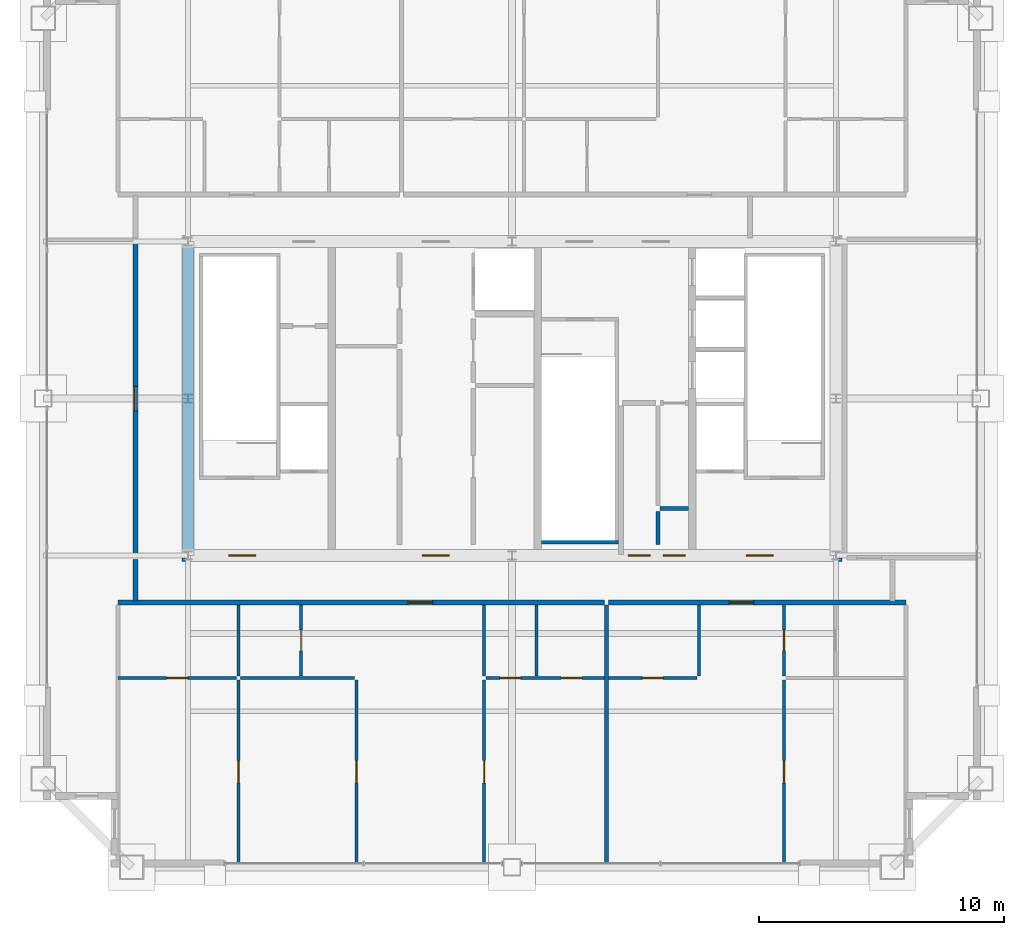
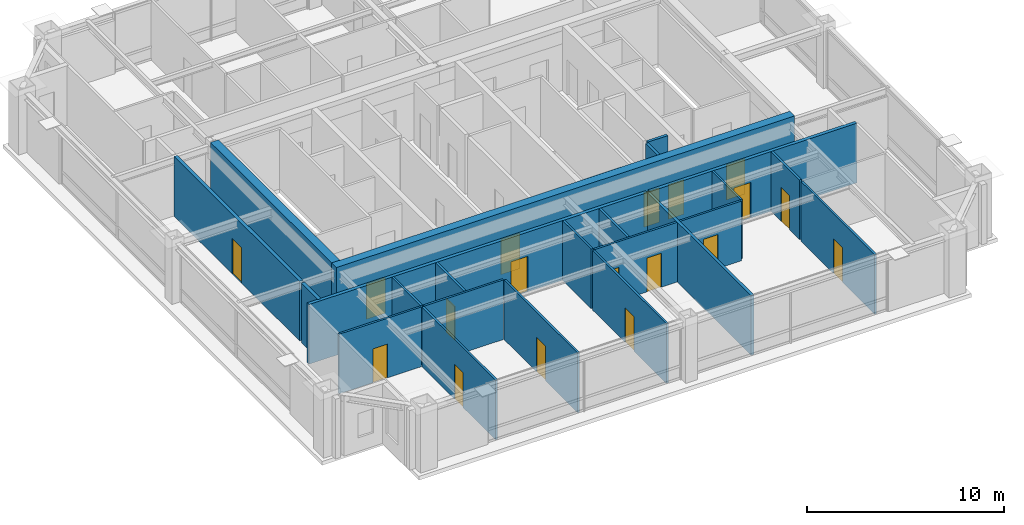
# One storey, part 30 of 34: 24 walls, 18 doors, 18 openings.
"""IFC4 building model written with IfcOpenShell, lengths in metres."""

from ifc_helpers import new_model, si_unit, direction, frame, frame_2d, origin, place, context, subcontext, project, spatial, rectangle, extrude, source, transform, mapped, material, layer, layer_set, type_object, element, fill, save


model = new_model("IFC4")

# Units and contexts
model_context = context("Model", 3, precision=1e-05, world=origin(), true_north=direction((0.0, 1.0)))
body_context = subcontext(model_context, "Body", "Model", "MODEL_VIEW")
ifc_project = project(units=[si_unit("LENGTHUNIT", "METRE"), si_unit("AREAUNIT", "SQUARE_METRE"), si_unit("VOLUMEUNIT", "CUBIC_METRE"), si_unit("PLANEANGLEUNIT", "RADIAN"), si_unit("MASSUNIT", "GRAM", prefix="KILO"), si_unit("THERMODYNAMICTEMPERATUREUNIT", "KELVIN"), si_unit("POWERUNIT", "WATT")], contexts=[model_context])

# Site, building, storey
site_placement = place(None, origin())
site = spatial("IfcSite", under=ifc_project, at=site_placement, CompositionType="ELEMENT")
building_placement = place(site_placement, origin())
building = spatial("IfcBuilding", under=site, at=building_placement, Name="Yuzanri Waterfront Tower", CompositionType="ELEMENT")
storey_placement = place(building_placement, frame((0.0, 0.0, 347.199951171875)))
storey = spatial("IfcBuildingStorey", under=building, at=storey_placement, Name="L93", CompositionType="ELEMENT", Elevation=347.199951171875)

# Wall, opening, door
ifc_material_1 = material(Name="Moisture-Resistant Gypsum Stud Wall", Category="gypsum")
ifc_layer_1 = layer(ifc_material_1, 0.1201171875)
ifc_layer_set_1 = layer_set([ifc_layer_1], Name="Moisture-Resistant Gypsum Stud Wall")
wall_type_1 = type_object("IfcWallType", Name="Bathroom and Kitchen Wet Partition 120", PredefinedType="PARTITIONING", material=ifc_layer_set_1)
wall_1_placement = place(storey_placement, frame((20.93994140625, 14.409912109375, 0.0), z_axis=(0.0, 0.0, 1.0), x_axis=(1.0, 0.0, 0.0)))
wall_1 = element("IfcWall", 1, at=wall_1_placement, inside=storey, type_object=wall_type_1, Name="L93 Partition UW-L93-HS1-SUB-1-S", PredefinedType="PARTITIONING", context=body_context, shape_type="SweptSolid", body=[
    extrude(rectangle(XDim=4.830078125, YDim=0.1201171875, at=frame_2d((2.4150390625, 0.0))), origin(), (0.0, 0.0, 1.0), 3.699951171875),
])
opening_1_placement = place(wall_1_placement, frame((1.989990234375, 0.0, 0.0)))
opening_1 = element("IfcOpeningElement", 2, at=opening_1_placement, cuts=wall_1, Name="Opening ID-0850", PredefinedType="OPENING", context=body_context, shape_type="SweptSolid", body=[
    extrude(rectangle(XDim=0.85009765625, YDim=2.10009765625, at=frame_2d((0.425048828125, 1.050048828125))), frame((0.0, 0.074951171875, 0.0), z_axis=(0.0, -1.0, 0.0), x_axis=(1.0, 0.0, 0.0)), (0.0, 0.0, 1.0), 0.14990234375),
])
ifc_material_2 = material(Name="Moisture-Resistant Lacquered Timber", Category="wood")
door_type_1 = type_object("IfcDoorType", Name="En-Suite Bathroom and Kitchen Swing Door 850x2100", OperationType="NOTDEFINED", PredefinedType="DOOR", material=ifc_material_2)
shared_shape_1 = source(origin(), body_context, "Body", "SweptSolid", [
    extrude(rectangle(XDim=0.85009765625, YDim=2.10009765625, at=frame_2d((0.425048828125, 1.050048828125))), frame((0.0, 0.02490234375, 0.0), z_axis=(0.0, -1.0, 0.0), x_axis=(1.0, 0.0, 0.0)), (0.0, 0.0, 1.0), 0.050048828125),
])
door_1_placement = place(opening_1_placement, origin())
door_1 = element("IfcDoor", 3, at=door_1_placement, inside=storey, type_object=door_type_1, Name="L93 Suite Interior Room Door", OperationType="SINGLE_SWING_LEFT", OverallHeight=2.10009765625, OverallWidth=0.85009765625, PredefinedType="DOOR", context=body_context, shape_type="MappedRepresentation", body=[
    mapped(shared_shape_1, transform((0.0, 0.0, 0.0), scale=1.0)),
])
fill(opening_1, door_1)

wall_2_placement = place(storey_placement, frame((28.409912109375, 14.489990234375, 0.0), z_axis=(0.0, 0.0, 1.0), x_axis=(0.0, 1.0, 0.0)))
wall_2 = element("IfcWall", 4, at=wall_2_placement, inside=storey, type_object=wall_type_1, Name="L93 Partition UW-L93-HS1-SUB-2-E", PredefinedType="PARTITIONING", context=body_context, shape_type="SweptSolid", body=[
    extrude(rectangle(XDim=2.89990234375, YDim=0.1201171875, at=frame_2d((1.449951171875, 0.0))), origin(), (0.0, 0.0, 1.0), 3.699951171875),
])
opening_2_placement = place(wall_2_placement, frame((1.02490234375, 0.0, 0.0)))
opening_2 = element("IfcOpeningElement", 5, at=opening_2_placement, cuts=wall_2, Name="Opening ID-0850", PredefinedType="OPENING", context=body_context, shape_type="SweptSolid", body=[
    extrude(rectangle(XDim=0.85009765625, YDim=2.10009765625, at=frame_2d((0.425048828125, 1.050048828125))), frame((0.0, 0.074951171875, 0.0), z_axis=(0.0, -1.0, 0.0), x_axis=(1.0, 0.0, 0.0)), (0.0, 0.0, 1.0), 0.14990234375),
])
door_2_placement = place(opening_2_placement, origin())
door_2 = element("IfcDoor", 6, at=door_2_placement, inside=storey, type_object=door_type_1, Name="L93 Suite Interior Room Door", OperationType="SINGLE_SWING_RIGHT", OverallHeight=2.10009765625, OverallWidth=0.85009765625, PredefinedType="DOOR", context=body_context, shape_type="MappedRepresentation", body=[
    mapped(shared_shape_1, transform((0.0, 0.0, 0.0), scale=1.0)),
])
fill(opening_2, door_2)

wall_3_placement = place(storey_placement, frame((25.85009765625, 6.85009765625, 0.0), z_axis=(0.0, 0.0, 1.0), x_axis=(0.0, 1.0, 0.0)))
wall_3 = element("IfcWall", 7, at=wall_3_placement, inside=storey, type_object=wall_type_1, Name="L93 Partition UW-L93-HS1-SUB-5-E", PredefinedType="PARTITIONING", context=body_context, shape_type="SweptSolid", body=[
    extrude(rectangle(XDim=7.47998046875, YDim=0.1201171875, at=frame_2d((3.739990234375, 0.0))), origin(), (0.0, 0.0, 1.0), 3.699951171875),
])
opening_3_placement = place(wall_3_placement, frame((3.2900390625, 0.0, 0.0)))
opening_3 = element("IfcOpeningElement", 8, at=opening_3_placement, cuts=wall_3, Name="Opening ID-0900", PredefinedType="OPENING", context=body_context, shape_type="SweptSolid", body=[
    extrude(rectangle(XDim=0.89990234375, YDim=2.14990234375, at=frame_2d((0.449951171875, 1.074951171875))), frame((0.0, 0.074951171875, 0.0), z_axis=(0.0, -1.0, 0.0), x_axis=(1.0, 0.0, 0.0)), (0.0, 0.0, 1.0), 0.14990234375),
])
ifc_material_3 = material(Name="Stained Walnut Veneer Timber", Category="wood")
door_type_2 = type_object("IfcDoorType", Name="Bedroom and Study Interior Swing Door 900x2150", OperationType="NOTDEFINED", PredefinedType="DOOR", material=ifc_material_3)
shared_shape_2 = source(origin(), body_context, "Body", "SweptSolid", [
    extrude(rectangle(XDim=0.89990234375, YDim=2.14990234375, at=frame_2d((0.449951171875, 1.074951171875))), frame((0.0, 0.02490234375, 0.0), z_axis=(0.0, -1.0, 0.0), x_axis=(1.0, 0.0, 0.0)), (0.0, 0.0, 1.0), 0.050048828125),
])
door_3_placement = place(opening_3_placement, origin())
door_3 = element("IfcDoor", 9, at=door_3_placement, inside=storey, type_object=door_type_2, Name="L93 Suite Interior Room Door", OperationType="SINGLE_SWING_LEFT", OverallHeight=2.14990234375, OverallWidth=0.89990234375, PredefinedType="DOOR", context=body_context, shape_type="MappedRepresentation", body=[
    mapped(shared_shape_2, transform((0.0, 0.0, 0.0), scale=1.0)),
])
fill(opening_3, door_3)

# Wall, openings, doors
wall_4_placement = place(storey_placement, frame((35.944091796875, 14.409912109375, 0.0), z_axis=(0.0, 0.0, 1.0), x_axis=(1.0, 0.0, 0.0)))
wall_4 = element("IfcWall", 10, at=wall_4_placement, inside=storey, type_object=wall_type_1, Name="L93 Partition UW-L93-HS1-SUB-6-N", PredefinedType="PARTITIONING", context=body_context, shape_type="SweptSolid", body=[
    extrude(rectangle(XDim=4.829833984375, YDim=0.1201171875, at=frame_2d((2.4150390625, 0.0))), origin(), (0.0, 0.0, 1.0), 3.699951171875),
])
opening_4_placement = place(wall_4_placement, frame((3.054931640625, 0.0, 0.0)))
opening_4 = element("IfcOpeningElement", 11, at=opening_4_placement, cuts=wall_4, Name="Opening ID-0850", PredefinedType="OPENING", context=body_context, shape_type="SweptSolid", body=[
    extrude(rectangle(XDim=0.85009765625, YDim=2.10009765625, at=frame_2d((0.425048828125, 1.050048828125))), frame((0.0, 0.074951171875, 0.0), z_axis=(0.0, -1.0, 0.0), x_axis=(1.0, 0.0, 0.0)), (0.0, 0.0, 1.0), 0.14990234375),
])
opening_5_placement = place(wall_4_placement, frame((0.56005859375, 0.0, 0.0)))
opening_5 = element("IfcOpeningElement", 12, at=opening_5_placement, cuts=wall_4, Name="Opening ID-0850", PredefinedType="OPENING", context=body_context, shape_type="SweptSolid", body=[
    extrude(rectangle(XDim=0.85009765625, YDim=2.10009765625, at=frame_2d((0.425048828125, 1.050048828125))), frame((0.0, 0.074951171875, 0.0), z_axis=(0.0, -1.0, 0.0), x_axis=(1.0, 0.0, 0.0)), (0.0, 0.0, 1.0), 0.14990234375),
])
door_4_placement = place(opening_4_placement, origin())
door_4 = element("IfcDoor", 13, at=door_4_placement, inside=storey, type_object=door_type_1, Name="L93 Suite Interior Room Door", OperationType="SINGLE_SWING_LEFT", OverallHeight=2.10009765625, OverallWidth=0.85009765625, PredefinedType="DOOR", context=body_context, shape_type="MappedRepresentation", body=[
    mapped(shared_shape_1, transform((0.0, 0.0, 0.0), scale=1.0)),
])
fill(opening_4, door_4)
door_5_placement = place(opening_5_placement, origin())
door_5 = element("IfcDoor", 14, at=door_5_placement, inside=storey, type_object=door_type_1, Name="L93 Suite Interior Room Door", OperationType="SINGLE_SWING_RIGHT", OverallHeight=2.10009765625, OverallWidth=0.85009765625, PredefinedType="DOOR", context=body_context, shape_type="MappedRepresentation", body=[
    mapped(shared_shape_1, transform((0.0, 0.0, 0.0), scale=1.0)),
])
fill(opening_5, door_5)

# Wall, opening, door
wall_5_placement = place(storey_placement, frame((35.864013671875, 6.85009765625, 0.0), z_axis=(0.0, 0.0, 1.0), x_axis=(0.0, 1.0, 0.0)))
wall_5 = element("IfcWall", 15, at=wall_5_placement, inside=storey, type_object=wall_type_1, Name="L93 Partition UW-L93-HS1-SUB-6-W", PredefinedType="PARTITIONING", context=body_context, shape_type="SweptSolid", body=[
    extrude(rectangle(XDim=7.47998046875, YDim=0.1201171875, at=frame_2d((3.739990234375, 0.0))), origin(), (0.0, 0.0, 1.0), 3.699951171875),
])
opening_6_placement = place(wall_5_placement, frame((3.2900390625, 0.0, 0.0)))
opening_6 = element("IfcOpeningElement", 16, at=opening_6_placement, cuts=wall_5, Name="Opening ID-0900", PredefinedType="OPENING", context=body_context, shape_type="SweptSolid", body=[
    extrude(rectangle(XDim=0.89990234375, YDim=2.14990234375, at=frame_2d((0.449951171875, 1.074951171875))), frame((0.0, 0.074951171875, 0.0), z_axis=(0.0, -1.0, 0.0), x_axis=(1.0, 0.0, 0.0)), (0.0, 0.0, 1.0), 0.14990234375),
])
door_6_placement = place(opening_6_placement, origin())
door_6 = element("IfcDoor", 17, at=door_6_placement, inside=storey, type_object=door_type_2, Name="L93 Suite Interior Room Door", OperationType="SINGLE_SWING_RIGHT", OverallHeight=2.14990234375, OverallWidth=0.89990234375, PredefinedType="DOOR", context=body_context, shape_type="MappedRepresentation", body=[
    mapped(shared_shape_2, transform((0.0, 0.0, 0.0), scale=1.0)),
])
fill(opening_6, door_6)

wall_6_placement = place(storey_placement, frame((30.6640625, 6.85009765625, 0.0), z_axis=(0.0, 0.0, 1.0), x_axis=(0.0, 1.0, 0.0)))
wall_6 = element("IfcWall", 18, at=wall_6_placement, inside=storey, type_object=wall_type_1, Name="L93 Partition UW-L93-HS1-SUB-7-E", PredefinedType="PARTITIONING", context=body_context, shape_type="SweptSolid", body=[
    extrude(rectangle(XDim=7.47998046875, YDim=0.1201171875, at=frame_2d((3.739990234375, 0.0))), origin(), (0.0, 0.0, 1.0), 3.699951171875),
])
opening_7_placement = place(wall_6_placement, frame((3.2900390625, 0.0, 0.0)))
opening_7 = element("IfcOpeningElement", 19, at=opening_7_placement, cuts=wall_6, Name="Opening ID-0900", PredefinedType="OPENING", context=body_context, shape_type="SweptSolid", body=[
    extrude(rectangle(XDim=0.89990234375, YDim=2.14990234375, at=frame_2d((0.449951171875, 1.074951171875))), frame((0.0, 0.074951171875, 0.0), z_axis=(0.0, -1.0, 0.0), x_axis=(1.0, 0.0, 0.0)), (0.0, 0.0, 1.0), 0.14990234375),
])
door_7_placement = place(opening_7_placement, origin())
door_7 = element("IfcDoor", 20, at=door_7_placement, inside=storey, type_object=door_type_2, Name="L93 Suite Interior Room Door", OperationType="SINGLE_SWING_LEFT", OverallHeight=2.14990234375, OverallWidth=0.89990234375, PredefinedType="DOOR", context=body_context, shape_type="MappedRepresentation", body=[
    mapped(shared_shape_2, transform((0.0, 0.0, 0.0), scale=1.0)),
])
fill(opening_7, door_7)

wall_7_placement = place(storey_placement, frame((40.93408203125, 14.409912109375, 0.0), z_axis=(0.0, 0.0, 1.0), x_axis=(1.0, 0.0, 0.0)))
wall_7 = element("IfcWall", 21, at=wall_7_placement, inside=storey, type_object=wall_type_1, Name="L93 Partition UW-L93-HS2-SUB-1-S", PredefinedType="PARTITIONING", context=body_context, shape_type="SweptSolid", body=[
    extrude(rectangle(XDim=3.599853515625, YDim=0.1201171875, at=frame_2d((1.7998046875, 0.0))), origin(), (0.0, 0.0, 1.0), 3.699951171875),
])
opening_8_placement = place(wall_7_placement, frame((1.375, 0.0, 0.0)))
opening_8 = element("IfcOpeningElement", 22, at=opening_8_placement, cuts=wall_7, Name="Opening ID-0850", PredefinedType="OPENING", context=body_context, shape_type="SweptSolid", body=[
    extrude(rectangle(XDim=0.85009765625, YDim=2.10009765625, at=frame_2d((0.425048828125, 1.050048828125))), frame((0.0, 0.074951171875, 0.0), z_axis=(0.0, -1.0, 0.0), x_axis=(1.0, 0.0, 0.0)), (0.0, 0.0, 1.0), 0.14990234375),
])
door_8_placement = place(opening_8_placement, origin())
door_8 = element("IfcDoor", 23, at=door_8_placement, inside=storey, type_object=door_type_1, Name="L93 Suite Interior Room Door", OperationType="SINGLE_SWING_LEFT", OverallHeight=2.10009765625, OverallWidth=0.85009765625, PredefinedType="DOOR", context=body_context, shape_type="MappedRepresentation", body=[
    mapped(shared_shape_1, transform((0.0, 0.0, 0.0), scale=1.0)),
])
fill(opening_8, door_8)

wall_8_placement = place(storey_placement, frame((48.08203125, 6.85009765625, 0.0), z_axis=(0.0, 0.0, 1.0), x_axis=(0.0, 1.0, 0.0)))
wall_8 = element("IfcWall", 24, at=wall_8_placement, inside=storey, type_object=wall_type_1, Name="L93 Partition UW-L93-HS2-SUB-3-W", PredefinedType="PARTITIONING", context=body_context, shape_type="SweptSolid", body=[
    extrude(rectangle(XDim=7.47998046875, YDim=0.1201171875, at=frame_2d((3.739990234375, 0.0))), origin(), (0.0, 0.0, 1.0), 3.699951171875),
])
opening_9_placement = place(wall_8_placement, frame((3.2900390625, 0.0, 0.0)))
opening_9 = element("IfcOpeningElement", 25, at=opening_9_placement, cuts=wall_8, Name="Opening ID-0900", PredefinedType="OPENING", context=body_context, shape_type="SweptSolid", body=[
    extrude(rectangle(XDim=0.89990234375, YDim=2.14990234375, at=frame_2d((0.449951171875, 1.074951171875))), frame((0.0, 0.074951171875, 0.0), z_axis=(0.0, -1.0, 0.0), x_axis=(1.0, 0.0, 0.0)), (0.0, 0.0, 1.0), 0.14990234375),
])
door_9_placement = place(opening_9_placement, origin())
door_9 = element("IfcDoor", 26, at=door_9_placement, inside=storey, type_object=door_type_2, Name="L93 Suite Interior Room Door", OperationType="SINGLE_SWING_LEFT", OverallHeight=2.14990234375, OverallWidth=0.89990234375, PredefinedType="DOOR", context=body_context, shape_type="MappedRepresentation", body=[
    mapped(shared_shape_2, transform((0.0, 0.0, 0.0), scale=1.0)),
])
fill(opening_9, door_9)

wall_9_placement = place(storey_placement, frame((48.08203125, 14.489990234375, 0.0), z_axis=(0.0, 0.0, 1.0), x_axis=(0.0, 1.0, 0.0)))
wall_9 = element("IfcWall", 27, at=wall_9_placement, inside=storey, type_object=wall_type_1, Name="L93 Partition UW-L93-HS2-SUB-4-W", PredefinedType="PARTITIONING", context=body_context, shape_type="SweptSolid", body=[
    extrude(rectangle(XDim=2.89990234375, YDim=0.1201171875, at=frame_2d((1.449951171875, 0.0))), origin(), (0.0, 0.0, 1.0), 3.699951171875),
])
opening_10_placement = place(wall_9_placement, frame((1.02490234375, 0.0, 0.0)))
opening_10 = element("IfcOpeningElement", 28, at=opening_10_placement, cuts=wall_9, Name="Opening ID-0850", PredefinedType="OPENING", context=body_context, shape_type="SweptSolid", body=[
    extrude(rectangle(XDim=0.85009765625, YDim=2.10009765625, at=frame_2d((0.425048828125, 1.050048828125))), frame((0.0, 0.074951171875, 0.0), z_axis=(0.0, -1.0, 0.0), x_axis=(1.0, 0.0, 0.0)), (0.0, 0.0, 1.0), 0.14990234375),
])
door_10_placement = place(opening_10_placement, origin())
door_10 = element("IfcDoor", 29, at=door_10_placement, inside=storey, type_object=door_type_1, Name="L93 Suite Interior Room Door", OperationType="SINGLE_SWING_RIGHT", OverallHeight=2.10009765625, OverallWidth=0.85009765625, PredefinedType="DOOR", context=body_context, shape_type="MappedRepresentation", body=[
    mapped(shared_shape_1, transform((0.0, 0.0, 0.0), scale=1.0)),
])
fill(opening_10, door_10)

# Wall, openings, doors
ifc_material_4 = material(Name="Concrete C45", Category="concrete")
ifc_layer_2 = layer(ifc_material_4, 0.47998046875)
ifc_layer_set_2 = layer_set([ifc_layer_2], Name="Concrete C45")
wall_type_2 = type_object("IfcWallType", Name="Concrete C45 High-Rise Core Shear Wall 480", PredefinedType="SHEAR", material=ifc_layer_set_2)
wall_10_placement = place(storey_placement, frame((23.56005859375, 19.39990234375, 0.0), z_axis=(0.0, 0.0, 1.0), x_axis=(1.0, 0.0, 0.0)))
wall_10 = element("IfcWall", 30, at=wall_10_placement, inside=storey, type_object=wall_type_2, Name="L93 Core South Shear Wall", PredefinedType="SHEAR", context=body_context, shape_type="SweptSolid", body=[
    extrude(rectangle(XDim=26.8798828125, YDim=0.47998046875, at=frame_2d((13.43994140625, 0.0))), origin(), (0.0, 0.0, 1.0), 4.0),
])
opening_11_placement = place(wall_10_placement, frame((1.889892578125, 0.0, 0.0)))
opening_11 = element("IfcOpeningElement", 31, at=opening_11_placement, cuts=wall_10, Name="Opening FD-1100", PredefinedType="OPENING", context=body_context, shape_type="SweptSolid", body=[
    extrude(rectangle(XDim=1.10009765625, YDim=2.199951171875, at=frame_2d((0.550048828125, 1.10009765625))), frame((0.0, 0.2548828125, 0.0), z_axis=(0.0, -1.0, 0.0), x_axis=(1.0, 0.0, 0.0)), (0.0, 0.0, 1.0), 0.509765625),
])
opening_12_placement = place(wall_10_placement, frame((9.7900390625, 0.0, 0.0)))
opening_12 = element("IfcOpeningElement", 32, at=opening_12_placement, cuts=wall_10, Name="Opening FD-1100", PredefinedType="OPENING", context=body_context, shape_type="SweptSolid", body=[
    extrude(rectangle(XDim=1.10009765625, YDim=2.199951171875, at=frame_2d((0.550048828125, 1.10009765625))), frame((0.0, 0.2548828125, 0.0), z_axis=(0.0, -1.0, 0.0), x_axis=(1.0, 0.0, 0.0)), (0.0, 0.0, 1.0), 0.509765625),
])
opening_13_placement = place(wall_10_placement, frame((22.989990234375, 0.0, 0.0)))
opening_13 = element("IfcOpeningElement", 33, at=opening_13_placement, cuts=wall_10, Name="Opening FD-1100", PredefinedType="OPENING", context=body_context, shape_type="SweptSolid", body=[
    extrude(rectangle(XDim=1.10009765625, YDim=2.199951171875, at=frame_2d((0.550048828125, 1.10009765625))), frame((0.0, 0.2548828125, 0.0), z_axis=(0.0, -1.0, 0.0), x_axis=(1.0, 0.0, 0.0)), (0.0, 0.0, 1.0), 0.509765625),
])
opening_14_placement = place(wall_10_placement, frame((19.610107421875, 0.0, 0.0)))
opening_14 = element("IfcOpeningElement", 34, at=opening_14_placement, cuts=wall_10, Name="Opening FD-0900", PredefinedType="OPENING", context=body_context, shape_type="SweptSolid", body=[
    extrude(rectangle(XDim=0.89990234375, YDim=2.14990234375, at=frame_2d((0.449951171875, 1.074951171875))), frame((0.0, 0.2548828125, 0.0), z_axis=(0.0, -1.0, 0.0), x_axis=(1.0, 0.0, 0.0)), (0.0, 0.0, 1.0), 0.509765625),
])
opening_15_placement = place(wall_10_placement, frame((18.169921875, 0.0, 0.0)))
opening_15 = element("IfcOpeningElement", 35, at=opening_15_placement, cuts=wall_10, Name="Opening FD-0900", PredefinedType="OPENING", context=body_context, shape_type="SweptSolid", body=[
    extrude(rectangle(XDim=0.89990234375, YDim=2.14990234375, at=frame_2d((0.449951171875, 1.074951171875))), frame((0.0, 0.2548828125, 0.0), z_axis=(0.0, -1.0, 0.0), x_axis=(1.0, 0.0, 0.0)), (0.0, 0.0, 1.0), 0.509765625),
])
ifc_material_5 = material(Name="Painted Galvanized Fire Steel", Category="steel")
door_type_3 = type_object("IfcDoorType", Name="Smoke-Proof Stair and Lobby Fire Door 1100x2200", OperationType="NOTDEFINED", PredefinedType="DOOR", material=ifc_material_5)
shared_shape_3 = source(origin(), body_context, "Body", "SweptSolid", [
    extrude(rectangle(XDim=1.10009765625, YDim=2.199951171875, at=frame_2d((0.550048828125, 1.10009765625))), frame((0.0, 0.02490234375, 0.0), z_axis=(0.0, -1.0, 0.0), x_axis=(1.0, 0.0, 0.0)), (0.0, 0.0, 1.0), 0.050048828125),
])
door_11_placement = place(opening_11_placement, origin())
door_11 = element("IfcDoor", 36, at=door_11_placement, inside=storey, type_object=door_type_3, Name="L93 West Firefighting Lobby Door", OperationType="SINGLE_SWING_LEFT", OverallHeight=2.199951171875, OverallWidth=1.10009765625, PredefinedType="DOOR", context=body_context, shape_type="MappedRepresentation", body=[
    mapped(shared_shape_3, transform((0.0, 0.0, 0.0), scale=1.0)),
])
fill(opening_11, door_11)
door_12_placement = place(opening_12_placement, origin())
door_12 = element("IfcDoor", 37, at=door_12_placement, inside=storey, type_object=door_type_3, Name="L93 Central Lift Lobby South Door", OperationType="SINGLE_SWING_RIGHT", OverallHeight=2.199951171875, OverallWidth=1.10009765625, PredefinedType="DOOR", context=body_context, shape_type="MappedRepresentation", body=[
    mapped(shared_shape_3, transform((0.0, 0.0, 0.0), scale=1.0)),
])
fill(opening_12, door_12)
door_13_placement = place(opening_13_placement, origin())
door_13 = element("IfcDoor", 38, at=door_13_placement, inside=storey, type_object=door_type_3, Name="L93 East Firefighting Lobby Door", OperationType="SINGLE_SWING_LEFT", OverallHeight=2.199951171875, OverallWidth=1.10009765625, PredefinedType="DOOR", context=body_context, shape_type="MappedRepresentation", body=[
    mapped(shared_shape_3, transform((0.0, 0.0, 0.0), scale=1.0)),
])
fill(opening_13, door_13)
ifc_material_6 = material(Name="Painted Galvanized Fire Steel", Category="steel")
door_type_4 = type_object("IfcDoorType", Name="Riser and Service Room Fire Door 900x2150", OperationType="NOTDEFINED", PredefinedType="DOOR", material=ifc_material_6)
shared_shape_4 = source(origin(), body_context, "Body", "SweptSolid", [
    extrude(rectangle(XDim=0.89990234375, YDim=2.14990234375, at=frame_2d((0.449951171875, 1.074951171875))), frame((0.0, 0.02490234375, 0.0), z_axis=(0.0, -1.0, 0.0), x_axis=(1.0, 0.0, 0.0)), (0.0, 0.0, 1.0), 0.050048828125),
])
door_14_placement = place(opening_14_placement, origin())
door_14 = element("IfcDoor", 39, at=door_14_placement, inside=storey, type_object=door_type_4, Name="L93 East Wet Riser Door", OperationType="SINGLE_SWING_LEFT", OverallHeight=2.14990234375, OverallWidth=0.89990234375, PredefinedType="DOOR", context=body_context, shape_type="MappedRepresentation", body=[
    mapped(shared_shape_4, transform((0.0, 0.0, 0.0), scale=1.0)),
])
fill(opening_14, door_14)
door_15_placement = place(opening_15_placement, origin())
door_15 = element("IfcDoor", 40, at=door_15_placement, inside=storey, type_object=door_type_4, Name="L93 Cleaners Store Room", OperationType="SINGLE_SWING_RIGHT", OverallHeight=2.14990234375, OverallWidth=0.89990234375, PredefinedType="DOOR", context=body_context, shape_type="MappedRepresentation", body=[
    mapped(shared_shape_4, transform((0.0, 0.0, 0.0), scale=1.0)),
])
fill(opening_15, door_15)

# Wall, opening, door
ifc_material_7 = material(Name="Autoclaved Aerated Concrete Blockwork", Category="masonry")
ifc_layer_3 = layer(ifc_material_7, 0.199951171875)
ifc_layer_set_3 = layer_set([ifc_layer_3], Name="Autoclaved Aerated Concrete Blockwork")
wall_type_3 = type_object("IfcWallType", Name="Corridor and Unit Party Fire Wall 200", PredefinedType="PARTITIONING", material=ifc_layer_set_3)
wall_11_placement = place(storey_placement, frame((20.93994140625, 17.489990234375, 0.0), z_axis=(0.0, 0.0, 1.0), x_axis=(1.0, 0.0, 0.0)))
wall_11 = element("IfcWall", 41, at=wall_11_placement, inside=storey, type_object=wall_type_3, Name="L93 Partition UW-L93-HS1-CN", PredefinedType="PARTITIONING", context=body_context, shape_type="SweptSolid", body=[
    extrude(rectangle(XDim=19.833984375, YDim=0.199951171875, at=frame_2d((9.9169921875, 0.0))), origin(), (0.0, 0.0, 1.0), 3.699951171875),
])
opening_16_placement = place(wall_11_placement, frame((11.823974609375, 0.0, 0.0)))
opening_16 = element("IfcOpeningElement", 42, at=opening_16_placement, cuts=wall_11, Name="Opening FD-1000", PredefinedType="OPENING", context=body_context, shape_type="SweptSolid", body=[
    extrude(rectangle(XDim=1.0, YDim=2.199951171875, at=frame_2d((0.5, 1.10009765625))), frame((0.0, 0.11474609375, 0.0), z_axis=(0.0, -1.0, 0.0), x_axis=(1.0, 0.0, 0.0)), (0.0, 0.0, 1.0), 0.229736328125),
])
ifc_material_8 = material(Name="Engineered Oak Fire-Rated Timber", Category="wood")
door_type_5 = type_object("IfcDoorType", Name="Guestroom and Apartment Entrance Fire Door 1000x2200", OperationType="NOTDEFINED", PredefinedType="DOOR", material=ifc_material_8)
shared_shape_5 = source(origin(), body_context, "Body", "SweptSolid", [
    extrude(rectangle(XDim=1.0, YDim=2.199951171875, at=frame_2d((0.5, 1.10009765625))), frame((0.0, 0.02490234375, 0.0), z_axis=(0.0, -1.0, 0.0), x_axis=(1.0, 0.0, 0.0)), (0.0, 0.0, 1.0), 0.050048828125),
])
door_16_placement = place(opening_16_placement, origin())
door_16 = element("IfcDoor", 43, at=door_16_placement, inside=storey, type_object=door_type_5, Name="L93 Penthouse Grand Living Salon Entrance Door", OperationType="SINGLE_SWING_RIGHT", OverallHeight=2.199951171875, OverallWidth=1.0, PredefinedType="DOOR", context=body_context, shape_type="MappedRepresentation", body=[
    mapped(shared_shape_5, transform((0.0, 0.0, 0.0), scale=1.0)),
])
fill(opening_16, door_16)

wall_12_placement = place(storey_placement, frame((40.93408203125, 17.489990234375, 0.0), z_axis=(0.0, 0.0, 1.0), x_axis=(1.0, 0.0, 0.0)))
wall_12 = element("IfcWall", 44, at=wall_12_placement, inside=storey, type_object=wall_type_3, Name="L93 Partition UW-L93-HS2-CN", PredefinedType="PARTITIONING", context=body_context, shape_type="SweptSolid", body=[
    extrude(rectangle(XDim=12.1259765625, YDim=0.199951171875, at=frame_2d((6.06298828125, 0.0))), origin(), (0.0, 0.0, 1.0), 3.699951171875),
])
opening_17_placement = place(wall_12_placement, frame((4.9140625, 0.0, 0.0)))
opening_17 = element("IfcOpeningElement", 45, at=opening_17_placement, cuts=wall_12, Name="Opening FD-1000", PredefinedType="OPENING", context=body_context, shape_type="SweptSolid", body=[
    extrude(rectangle(XDim=1.0, YDim=2.199951171875, at=frame_2d((0.5, 1.10009765625))), frame((0.0, 0.11474609375, 0.0), z_axis=(0.0, -1.0, 0.0), x_axis=(1.0, 0.0, 0.0)), (0.0, 0.0, 1.0), 0.229736328125),
])
door_17_placement = place(opening_17_placement, origin())
door_17 = element("IfcDoor", 46, at=door_17_placement, inside=storey, type_object=door_type_5, Name="L93 Apartment Living Room Entrance Door", OperationType="SINGLE_SWING_RIGHT", OverallHeight=2.199951171875, OverallWidth=1.0, PredefinedType="DOOR", context=body_context, shape_type="MappedRepresentation", body=[
    mapped(shared_shape_5, transform((0.0, 0.0, 0.0), scale=1.0)),
])
fill(opening_17, door_17)

wall_13_placement = place(storey_placement, frame((21.64990234375, 19.409912109375, 0.0), z_axis=(0.0, 0.0, 1.0), x_axis=(0.0, 1.0, 0.0)))
wall_13 = element("IfcWall", 47, at=wall_13_placement, inside=storey, type_object=wall_type_3, Name="L93 Partition UW-L93-047-CW", PredefinedType="PARTITIONING", context=body_context, shape_type="SweptSolid", body=[
    extrude(rectangle(XDim=12.780029296875, YDim=0.199951171875, at=frame_2d((6.39013671875, 0.0))), origin(), (0.0, 0.0, 1.0), 3.699951171875),
])
opening_18_placement = place(wall_13_placement, frame((5.889892578125, 0.0, 0.0)))
opening_18 = element("IfcOpeningElement", 48, at=opening_18_placement, cuts=wall_13, Name="Opening FD-1000", PredefinedType="OPENING", context=body_context, shape_type="SweptSolid", body=[
    extrude(rectangle(XDim=1.0, YDim=2.199951171875, at=frame_2d((0.5, 1.10009765625))), frame((0.0, 0.11474609375, 0.0), z_axis=(0.0, -1.0, 0.0), x_axis=(1.0, 0.0, 0.0)), (0.0, 0.0, 1.0), 0.229736328125),
])
door_18_placement = place(opening_18_placement, origin())
door_18 = element("IfcDoor", 49, at=door_18_placement, inside=storey, type_object=door_type_5, Name="L93 High-Rise W Horizon Club Room Entrance Door", OperationType="SINGLE_SWING_RIGHT", OverallHeight=2.199951171875, OverallWidth=1.0, PredefinedType="DOOR", context=body_context, shape_type="MappedRepresentation", body=[
    mapped(shared_shape_5, transform((0.0, 0.0, 0.0), scale=1.0)),
])
fill(opening_18, door_18)

# Walls
shared_shape_6 = source(origin(), body_context, "Body", "SweptSolid", [
    extrude(rectangle(XDim=12.320068359375, YDim=0.47998046875, at=frame_2d((6.16015625, 0.0))), origin(), (0.0, 0.0, 1.0), 4.0),
])
wall_14_placement = place(storey_placement, frame((23.800048828125, 19.639892578125, 0.0), z_axis=(0.0, 0.0, 1.0), x_axis=(0.0, 1.0, 0.0)))
element("IfcWall", 50, at=wall_14_placement, inside=storey, type_object=wall_type_2, Name="L93 Core West Shear Wall", PredefinedType="SHEAR", context=body_context, shape_type="MappedRepresentation", body=[
    mapped(shared_shape_6, transform((0.0, 0.0, 0.0), scale=1.0)),
])
ifc_material_9 = material(Name="Concrete C40", Category="concrete")
ifc_layer_4 = layer(ifc_material_9, 0.139892578125)
ifc_layer_set_4 = layer_set([ifc_layer_4], Name="Concrete C40")
wall_type_4 = type_object("IfcWallType", Name="Core Stair Liner and Hoistway Shaft Wall 140", PredefinedType="SOLIDWALL", material=ifc_layer_set_4)
shared_shape_7 = source(origin(), body_context, "Body", "SweptSolid", [
    extrude(rectangle(XDim=3.14013671875, YDim=0.139892578125, at=frame_2d((1.570068359375, 0.0))), origin(), (0.0, 0.0, 1.0), 3.699951171875),
])
wall_15_placement = place(storey_placement, frame((38.199951171875, 19.949951171875, 0.0), z_axis=(0.0, 0.0, 1.0), x_axis=(1.0, 0.0, 0.0)))
element("IfcWall", 51, at=wall_15_placement, inside=storey, type_object=wall_type_4, Name="L93 Stair ST-03 South Shaft Wall", PredefinedType="SOLIDWALL", context=body_context, shape_type="MappedRepresentation", body=[
    mapped(shared_shape_7, transform((0.0, 0.0, 0.0), scale=1.0)),
])
ifc_material_10 = material(Name="Gypsum Fireboard Acoustic Stud Wall", Category="gypsum")
ifc_layer_5 = layer(ifc_material_10, 0.159912109375)
ifc_layer_set_5 = layer_set([ifc_layer_5], Name="Gypsum Fireboard Acoustic Stud Wall")
wall_type_5 = type_object("IfcWallType", Name="Acoustic Suite Demising Partition 160", PredefinedType="PARTITIONING", material=ifc_layer_set_5)
shared_shape_8 = source(origin(), body_context, "Body", "SweptSolid", [
    extrude(rectangle(XDim=1.33984375, YDim=0.159912109375, at=frame_2d((0.669921875, 0.0))), origin(), (0.0, 0.0, 1.0), 3.699951171875),
])
wall_16_placement = place(storey_placement, frame((42.949951171875, 19.860107421875, 0.0), z_axis=(0.0, 0.0, 1.0), x_axis=(0.0, 1.0, 0.0)))
element("IfcWall", 52, at=wall_16_placement, inside=storey, type_object=wall_type_5, Name="L93 East Wet Riser West Wall", PredefinedType="PARTITIONING", context=body_context, shape_type="MappedRepresentation", body=[
    mapped(shared_shape_8, transform((0.0, 0.0, 0.0), scale=1.0)),
])
shared_shape_9 = source(origin(), body_context, "Body", "SweptSolid", [
    extrude(rectangle(XDim=1.169921875, YDim=0.159912109375, at=frame_2d((0.5849609375, 0.0))), origin(), (0.0, 0.0, 1.0), 3.699951171875),
])
wall_17_placement = place(storey_placement, frame((43.030029296875, 21.320068359375, 0.0), z_axis=(0.0, 0.0, 1.0), x_axis=(1.0, 0.0, 0.0)))
element("IfcWall", 53, at=wall_17_placement, inside=storey, type_object=wall_type_5, Name="L93 East Wet Riser North Wall", PredefinedType="PARTITIONING", context=body_context, shape_type="MappedRepresentation", body=[
    mapped(shared_shape_9, transform((0.0, 0.0, 0.0), scale=1.0)),
])
shared_shape_10 = source(origin(), body_context, "Body", "SweptSolid", [
    extrude(rectangle(XDim=1.699951171875, YDim=0.199951171875, at=frame_2d((0.85009765625, 0.0))), origin(), (0.0, 0.0, 1.0), 3.699951171875),
])
wall_18_placement = place(storey_placement, frame((21.64990234375, 17.550048828125, 0.0), z_axis=(0.0, 0.0, 1.0), x_axis=(0.0, 1.0, 0.0)))
element("IfcWall", 54, at=wall_18_placement, inside=storey, type_object=wall_type_3, Name="L93 South Foyer West End Wall", PredefinedType="PARTITIONING", context=body_context, shape_type="MappedRepresentation", body=[
    mapped(shared_shape_10, transform((0.0, 0.0, 0.0), scale=1.0)),
])
shared_shape_11 = source(origin(), body_context, "Body", "SweptSolid", [
    extrude(rectangle(XDim=10.539794921875, YDim=0.159912109375, at=frame_2d((5.27001953125, 0.0))), origin(), (0.0, 0.0, 1.0), 3.699951171875),
])
wall_19_placement = place(storey_placement, frame((40.85400390625, 6.85009765625, 0.0), z_axis=(0.0, 0.0, 1.0), x_axis=(0.0, 1.0, 0.0)))
element("IfcWall", 55, at=wall_19_placement, inside=storey, type_object=wall_type_5, Name="L93-HS1 Party Wall", PredefinedType="PARTITIONING", context=body_context, shape_type="MappedRepresentation", body=[
    mapped(shared_shape_11, transform((0.0, 0.0, 0.0), scale=1.0)),
])
shared_shape_12 = source(origin(), body_context, "Body", "SweptSolid", [
    extrude(rectangle(XDim=2.89990234375, YDim=0.1201171875, at=frame_2d((1.449951171875, 0.0))), origin(), (0.0, 0.0, 1.0), 3.699951171875),
])
for number, where, z_axis, x_axis, name in (
    (56, (25.85009765625, 14.489990234375, 0.0), (0.0, 0.0, 1.0), (0.0, 1.0, 0.0), "L93 Partition UW-L93-HS1-SUB-1-E"),
    (57, (37.993896484375, 14.489990234375, 0.0), (0.0, 0.0, 1.0), (0.0, 1.0, 0.0), "L93 Partition UW-L93-HS1-SUB-3-W"),
    (58, (35.864013671875, 14.489990234375, 0.0), (0.0, 0.0, 1.0), (0.0, 1.0, 0.0), "L93 Partition UW-L93-HS1-SUB-4-W"),
    (59, (44.614013671875, 14.489990234375, 0.0), (0.0, 0.0, 1.0), (0.0, 1.0, 0.0), "L93 Partition UW-L93-HS2-SUB-1-E"),
):
    element("IfcWall", number, at=place(storey_placement, frame(where, z_axis=z_axis, x_axis=x_axis)), inside=storey, type_object=wall_type_1, Name=name, PredefinedType="PARTITIONING", context=body_context, shape_type="MappedRepresentation", body=[
        mapped(shared_shape_12, transform((0.0, 0.0, 0.0), scale=1.0)),
    ])
shared_shape_13 = source(origin(), body_context, "Body", "SweptSolid", [
    extrude(rectangle(XDim=4.654052734375, YDim=0.1201171875, at=frame_2d((2.3271484375, 0.0))), origin(), (0.0, 0.0, 1.0), 3.699951171875),
])
wall_20_placement = place(storey_placement, frame((25.929931640625, 14.409912109375, 0.0), z_axis=(0.0, 0.0, 1.0), x_axis=(1.0, 0.0, 0.0)))
element("IfcWall", 60, at=wall_20_placement, inside=storey, type_object=wall_type_1, Name="L93 Partition UW-L93-HS1-SUB-7-N", PredefinedType="PARTITIONING", context=body_context, shape_type="MappedRepresentation", body=[
    mapped(shared_shape_13, transform((0.0, 0.0, 0.0), scale=1.0)),
])

save(model, "model.ifc")
